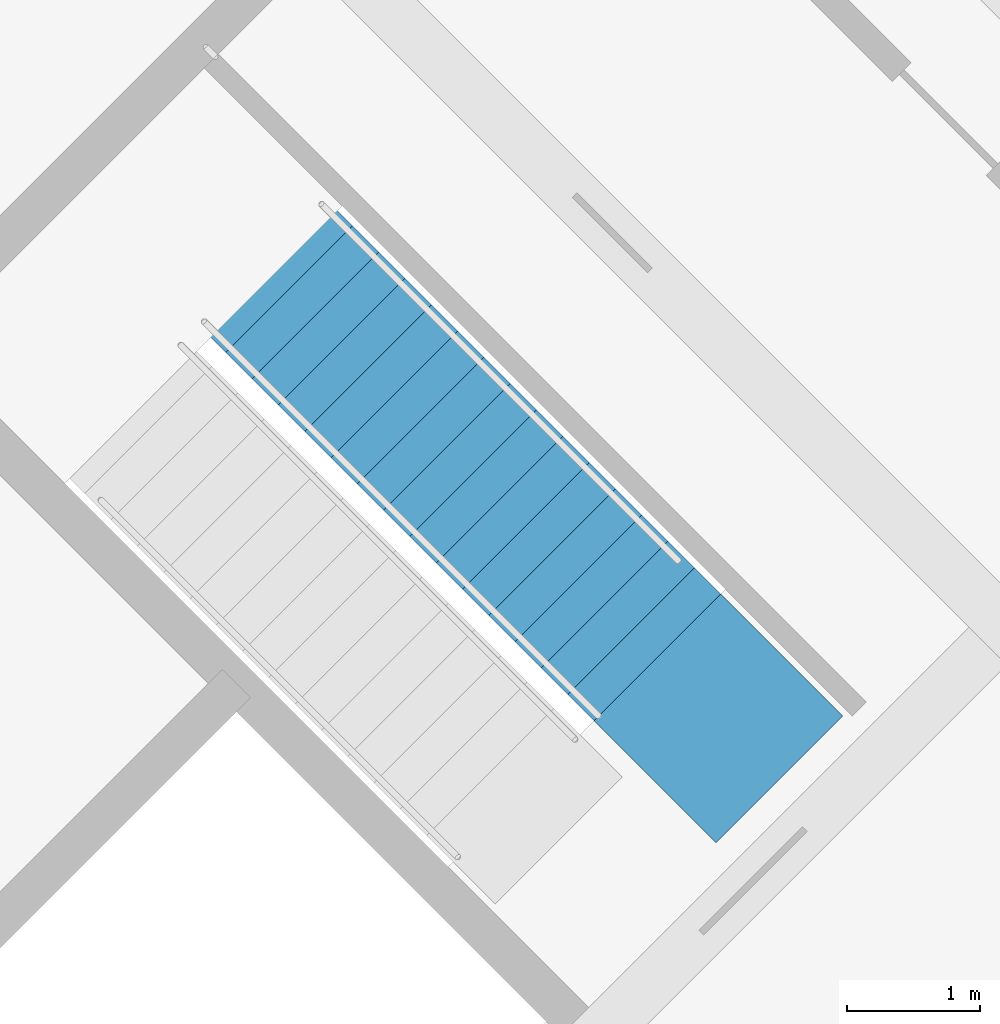
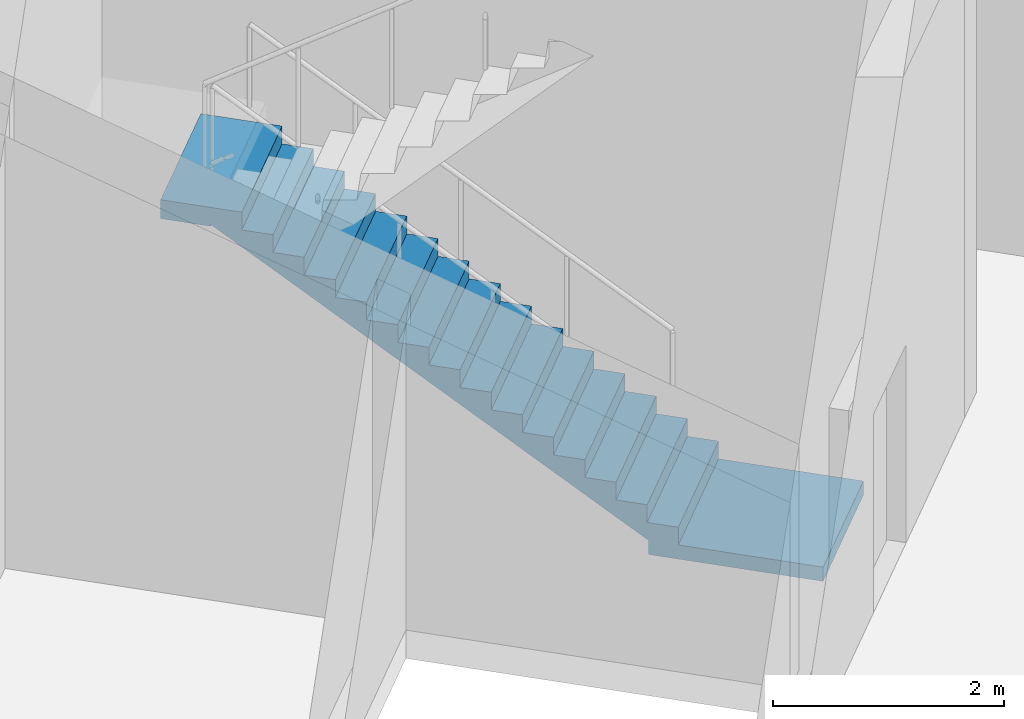
# One storey, part 16 of 19: 1 stair flight, 1 element without a shape of its own.
"""IFC4 building model written with IfcOpenShell, lengths in metres."""

import ifcopenshell
import ifcopenshell.guid

model = None  # the IFC model being written
_history = None  # IfcOwnerHistory: only IFC2X3 demands one
_inside = {}  # id of a spatial element -> (the spatial element, [elements in it])
_under = {}  # id of a project, library or spatial element -> (it, [spatial elements below it])
_declared = {}  # id of a project -> (the project, [libraries it declares])
_typed = {}  # id of a type object -> (the type object, [elements of that type])
_made_of = {}  # id of a material, layer set ... -> (it, [elements and type objects made of it])


def new_model(schema):
    """Start an empty IFC model of exactly this schema.

    Asked for "IFC4X3", IfcOpenShell would pick the latest addendum, in which some entities
    have other attributes; the version numbers below select the first issue.
    IFC2X3 requires an IfcOwnerHistory on every rooted entity: one is made here for all.
    """
    global model, _history
    if schema == "IFC4X3":
        model = ifcopenshell.file(schema_version=(4, 3, 0, 0))
    else:
        model = ifcopenshell.file(schema=schema)
    _inside.clear()
    _under.clear()
    _declared.clear()
    _typed.clear()
    _made_of.clear()
    _history = None
    if model.schema == "IFC2X3":
        org = make("IfcOrganization", Name="unknown")
        user = make(
            "IfcPersonAndOrganization",
            ThePerson=make("IfcPerson", FamilyName="unknown"),
            TheOrganization=org,
        )
        app = make(
            "IfcApplication",
            ApplicationDeveloper=org,
            Version="unknown",
            ApplicationFullName="unknown",
            ApplicationIdentifier="unknown",
        )
        _history = make(
            "IfcOwnerHistory",
            OwningUser=user,
            OwningApplication=app,
            ChangeAction="ADDED",
            CreationDate=0,
        )
    return model


def make(cls, **values):
    """One entity of the class cls with the attributes given. An attribute that is None is left unset."""
    return model.create_entity(
        cls, **{name: value for name, value in values.items() if value is not None}
    )


def rooted(cls, **values):
    """An entity with a GlobalId (a new one), such as an element, a storey or a relation."""
    return make(cls, GlobalId=ifcopenshell.guid.new(), OwnerHistory=_history, **values)


def si_unit(unit_type, name, prefix=None):
    """IfcSIUnit, for example si_unit("LENGTHUNIT", "METRE", prefix="MILLI")."""
    return make("IfcSIUnit", UnitType=unit_type, Prefix=prefix, Name=name)


def assignment(units):
    """IfcUnitAssignment: the units of a project."""
    return None if units is None else make("IfcUnitAssignment", Units=units)


def point(xyz):
    """IfcCartesianPoint."""
    return None if xyz is None else make("IfcCartesianPoint", Coordinates=xyz)


def direction(xyz):
    """IfcDirection."""
    return None if xyz is None else make("IfcDirection", DirectionRatios=xyz)


def frame(location, z_axis=None, x_axis=None):
    """IfcAxis2Placement3D, a coordinate frame: its origin and axes. An axis left out is left unset."""
    return make(
        "IfcAxis2Placement3D",
        Location=point(location),
        Axis=direction(z_axis),
        RefDirection=direction(x_axis),
    )


def origin():
    """The frame at (0, 0, 0) with its axes left unset."""
    return frame((0.0, 0.0, 0.0))


def place(relative_to, where):
    """IfcLocalPlacement: puts the frame where relative to a parent placement (None: the world)."""
    return make(
        "IfcLocalPlacement", PlacementRelTo=relative_to, RelativePlacement=where
    )


def context(
    kind, dimensions, precision=None, world=None, true_north=None, identifier=None
):
    """IfcGeometricRepresentationContext, for example the 3D "Model" context."""
    return make(
        "IfcGeometricRepresentationContext",
        ContextIdentifier=identifier,
        ContextType=kind,
        CoordinateSpaceDimension=dimensions,
        Precision=precision,
        WorldCoordinateSystem=world,
        TrueNorth=true_north,
    )


def subcontext(parent, identifier, kind, view, scale=None):
    """IfcGeometricRepresentationSubContext, for example "Body" below "Model"."""
    return make(
        "IfcGeometricRepresentationSubContext",
        ContextIdentifier=identifier,
        ContextType=kind,
        ParentContext=parent,
        TargetScale=scale,
        TargetView=view,
    )


def project(units=None, contexts=None):
    """IfcProject with its units and contexts."""
    return rooted(
        "IfcProject",
        Name="project",
        RepresentationContexts=contexts,
        UnitsInContext=assignment(units),
    )


def spatial(cls, under=None, at=None, **own):
    """A site, building, storey or space (cls), placed at a placement, below another one or the project."""
    s = rooted(cls, ObjectPlacement=at, **own)
    if under is not None:
        _under.setdefault(under.id(), (under, []))[1].append(s)
    return s


def polyline(points):
    """IfcPolyline through the points."""
    return make("IfcPolyline", Points=[point(p) for p in points])


def outline(outer, holes=None, kind="AREA"):
    """IfcArbitraryClosedProfileDef: a profile drawn as a closed curve; with holes, ...WithVoids."""
    if holes is None:
        return make("IfcArbitraryClosedProfileDef", ProfileType=kind, OuterCurve=outer)
    return make(
        "IfcArbitraryProfileDefWithVoids",
        ProfileType=kind,
        OuterCurve=outer,
        InnerCurves=holes,
    )


def extrude(swept, where, along, depth):
    """IfcExtrudedAreaSolid: the profile swept, set in the frame where, extruded along a direction by depth."""
    return make(
        "IfcExtrudedAreaSolid",
        SweptArea=swept,
        Position=where,
        ExtrudedDirection=direction(along),
        Depth=depth,
    )


def shape(context_of_items, identifier, shape_type, items):
    """IfcShapeRepresentation: the items that make up one representation, for example the "Body"."""
    return make(
        "IfcShapeRepresentation",
        ContextOfItems=context_of_items,
        RepresentationIdentifier=identifier,
        RepresentationType=shape_type,
        Items=items,
    )


def material(Name=None, Category=None):
    """IfcMaterial."""
    return make("IfcMaterial", Name=Name, Category=Category)


def made_of(thing, what):
    """Note that an element or type object is made of a material, layer set ...; save() writes the relation."""
    if what is not None:
        _made_of.setdefault(what.id(), (what, []))[1].append(thing)
    return thing


def type_object(cls, material=None, **own):
    """A type object (cls), such as IfcWallType, which elements share."""
    return made_of(rooted(cls, **own), material)


def element(
    cls,
    number,
    at=None,
    inside=None,
    cuts=None,
    type_object=None,
    material=None,
    context=None,
    identifier="Body",
    shape_type=None,
    held_by="IfcProductDefinitionShape",
    body=None,
    shapes=None,
    **own,
):
    """One element of the class cls, such as IfcWall. Its Tag is "e" and its number.

    at: its placement. inside: the storey or other place that contains it. cuts: it is an
    opening in that element (IfcRelVoidsElement). A single representation is given by context,
    identifier, shape_type and body (its items); several are given by shapes. held_by: the class
    of the entity that holds the representations. save() writes the other relations.
    """
    e = rooted(cls, Tag="e%d" % number, ObjectPlacement=at, **own)
    if body is not None:
        shapes = [shape(context, identifier, shape_type, body)]
    if shapes is not None:
        e.Representation = make(held_by, Representations=shapes)
    if inside is not None:
        _inside.setdefault(inside.id(), (inside, []))[1].append(e)
    if cuts is not None:
        rooted(
            "IfcRelVoidsElement", RelatingBuildingElement=cuts, RelatedOpeningElement=e
        )
    if type_object is not None:
        _typed.setdefault(type_object.id(), (type_object, []))[1].append(e)
    return made_of(e, material)


def aggregate(whole, parts):
    """IfcRelAggregates: a whole, such as a stair, and the parts it consists of."""
    return rooted("IfcRelAggregates", RelatingObject=whole, RelatedObjects=parts)


def save(model, path):
    """Write the relations noted so far, then the file.

    IfcRelAggregates (storeys below a building ...), IfcRelContainedInSpatialStructure (elements
    in a storey), IfcRelDefinesByType, IfcRelAssociatesMaterial and IfcRelDeclares: one each for
    every whole, place, type object, material and project.
    """
    for whole, parts in _under.values():
        aggregate(whole, parts)
    for where, things in _inside.values():
        rooted(
            "IfcRelContainedInSpatialStructure",
            RelatedElements=things,
            RelatingStructure=where,
        )
    for kind, things in _typed.values():
        rooted("IfcRelDefinesByType", RelatedObjects=things, RelatingType=kind)
    for what, things in _made_of.values():
        rooted("IfcRelAssociatesMaterial", RelatedObjects=things, RelatingMaterial=what)
    for by, libraries in _declared.values():
        rooted("IfcRelDeclares", RelatingContext=by, RelatedDefinitions=libraries)
    model.write(path)


model = new_model("IFC4")

# Units and contexts
model_context = context("Model", 3, precision=1e-05, world=origin(), true_north=direction((0.0, 1.0)))
body_context = subcontext(model_context, "Body", "Model", "MODEL_VIEW")
ifc_project = project(units=[si_unit("LENGTHUNIT", "METRE"), si_unit("AREAUNIT", "SQUARE_METRE"), si_unit("VOLUMEUNIT", "CUBIC_METRE"), si_unit("PLANEANGLEUNIT", "RADIAN"), si_unit("MASSUNIT", "GRAM", prefix="KILO")], contexts=[model_context])

# Site, building, storey
site_placement = place(None, origin())
site = spatial("IfcSite", under=ifc_project, at=site_placement, CompositionType="ELEMENT")
building_placement = place(site_placement, origin())
building = spatial("IfcBuilding", under=site, at=building_placement, Name="Windrow Commons", CompositionType="ELEMENT")
storey_placement = place(building_placement, frame((0.0, 0.0, 284.6)))
storey = spatial("IfcBuildingStorey", under=building, at=storey_placement, Name="L78", CompositionType="ELEMENT", Elevation=284.6)

# Stair, stair flight
ifc_material_1 = material(Name="Concrete C40/50", Category="concrete")
stair_type = type_object("IfcStairType", Name="Core stair", PredefinedType="HALF_TURN_STAIR", material=ifc_material_1)
stair_placement = place(storey_placement, origin())
stair = element("IfcStair", 1, at=stair_placement, inside=storey, type_object=stair_type, Name="L78 Exit stair B2 core B", PredefinedType="HALF_TURN_STAIR")
ifc_material_2 = material(Name="Concrete C40/50", Category="concrete")
stair_flight_type = type_object("IfcStairFlightType", Name="Core stair flight", PredefinedType="STRAIGHT", material=ifc_material_2)
stair_flight_placement = place(storey_placement, frame((94.6715, 48.8635, 0.0), z_axis=(0.0, 0.0, 1.0), x_axis=(-0.7071067812, 0.7071067812, 0.0)))
stair_flight = element("IfcStairFlight", 2, at=stair_flight_placement, type_object=stair_flight_type, Name="ST-B2 flight 1", NumberOfRisers=16, NumberOfTreads=15, PredefinedType="STRAIGHT", RiserHeight=0.1875, TreadLength=0.28, context=body_context, shape_type="SweptSolid", body=[
    extrude(outline(polyline([(-1.3, -0.15), (-1.3, 0.0), (0.0, 0.0), (0.0, 0.1875), (0.28, 0.1875), (0.28, 0.375), (0.56, 0.375), (0.56, 0.5625), (0.84, 0.5625), (0.84, 0.75), (1.12, 0.75), (1.12, 0.9375), (1.4, 0.9375), (1.4, 1.125), (1.68, 1.125), (1.68, 1.3125), (1.96, 1.3125), (1.96, 1.5), (2.24, 1.5), (2.24, 1.6875), (2.52, 1.6875), (2.52, 1.875), (2.8, 1.875), (2.8, 2.0625), (3.08, 2.0625), (3.08, 2.25), (3.36, 2.25), (3.36, 2.4375), (3.64, 2.4375), (3.64, 2.625), (3.92, 2.625), (3.92, 2.8125), (4.2, 2.8125), (4.65, 2.8125), (4.65, 2.6125), (4.2, 2.6125), (4.2, 2.632), (0.2696, 0.0), (0.2696, -0.15), (-1.3, -0.15)])), frame((0.0, 0.675, 0.0), z_axis=(0.0, -1.0, 0.0), x_axis=(1.0, 0.0, 0.0)), (0.0, 0.0, 1.0), 1.35),
])
aggregate(stair, [stair_flight])

save(model, "model.ifc")
